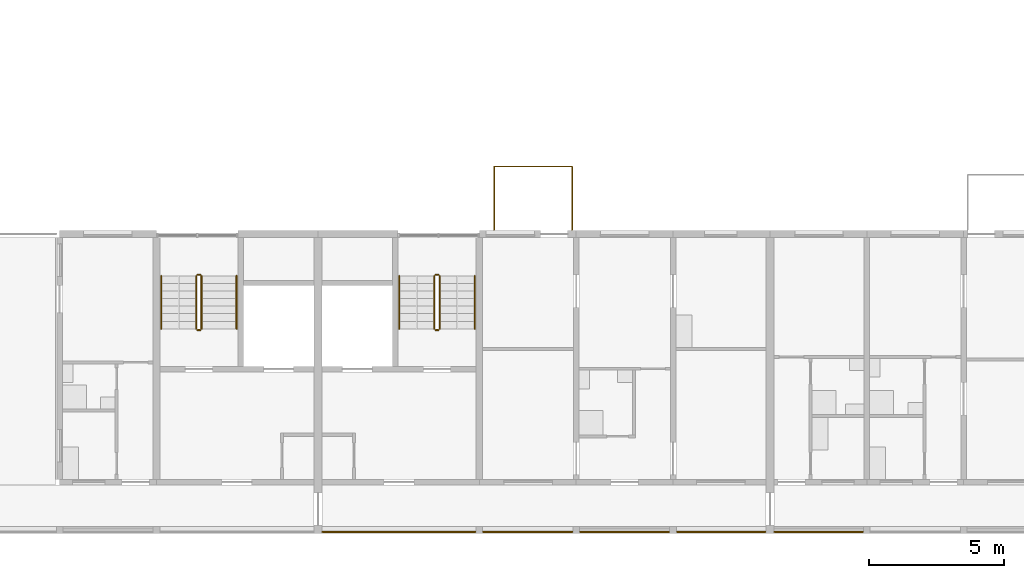
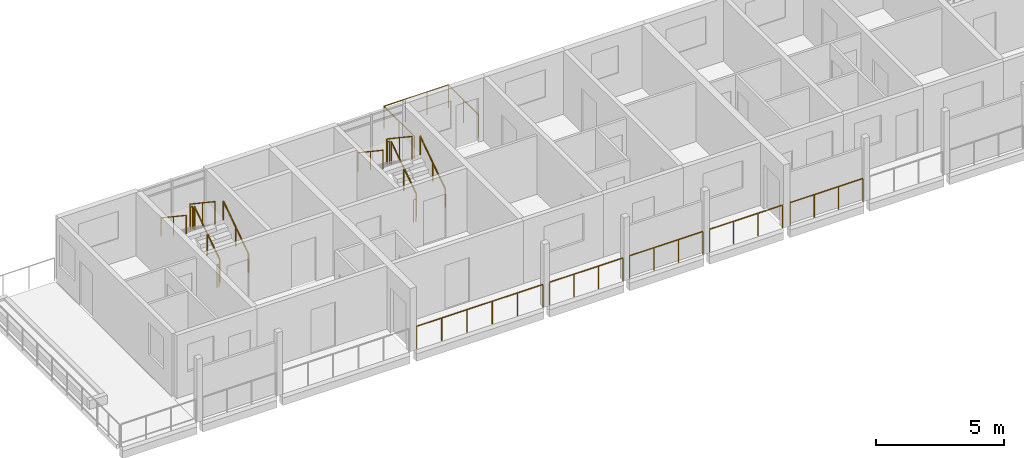
# One storey, part 69 of 78: 18 railings.
"""IFC4 building model written with IfcOpenShell, lengths in metres."""

from ifc_helpers import new_model, si_unit, direction, frame, origin, origin_2d, place, context, subcontext, project, spatial, circle, extrude, material, type_object, element, save


model = new_model("IFC4")

# Units and contexts
model_context = context("Model", 3, precision=1e-05, world=origin(), true_north=direction((0.0, 1.0)))
body_context = subcontext(model_context, "Body", "Model", "MODEL_VIEW")
ifc_project = project(units=[si_unit("LENGTHUNIT", "METRE"), si_unit("AREAUNIT", "SQUARE_METRE"), si_unit("VOLUMEUNIT", "CUBIC_METRE"), si_unit("PLANEANGLEUNIT", "RADIAN"), si_unit("MASSUNIT", "GRAM", prefix="KILO")], contexts=[model_context])

# Site, building, storey
site_placement = place(None, origin())
site = spatial("IfcSite", under=ifc_project, at=site_placement, CompositionType="ELEMENT")
building_placement = place(site_placement, origin())
building = spatial("IfcBuilding", under=site, at=building_placement, Name="Ridgestep Commons", CompositionType="ELEMENT")
storey_placement = place(building_placement, frame((0.0, 0.0, 30.0)))
storey = spatial("IfcBuildingStorey", under=building, at=storey_placement, Name="L10", CompositionType="ELEMENT", Elevation=30.0)

# Railings
ifc_material_1 = material(Name="Structural steel S355JR", Category="steel")
railing_type_1 = type_object("IfcRailingType", Name="Guard 1100", PredefinedType="GUARDRAIL", material=ifc_material_1)
railing_1_placement = place(storey_placement, frame((163.77099609375, 11.800048828125, 0.0)))
element("IfcRailing", 1, at=railing_1_placement, inside=storey, type_object=railing_type_1, Name="Gallery guard D 10.4", PredefinedType="GUARDRAIL", context=body_context, shape_type="SweptSolid", body=[
    extrude(circle(Radius=0.02392578125, at=origin_2d()), frame((0.0, 0.0, 1.076171875), z_axis=(1.0, 0.0, 0.0), x_axis=(0.0, 1.0, 0.0)), (0.0, 0.0, 1.0), 5.68310546875),
    extrude(circle(Radius=0.02099609375, at=origin_2d()), origin(), (0.0, 0.0, 1.0), 1.052001953125),
    extrude(circle(Radius=0.02099609375, at=origin_2d()), frame((1.13671875, 0.0, 0.0)), (0.0, 0.0, 1.0), 1.052001953125),
    extrude(circle(Radius=0.02099609375, at=origin_2d()), frame((2.273193359375, 0.0, 0.0)), (0.0, 0.0, 1.0), 1.052001953125),
    extrude(circle(Radius=0.02099609375, at=origin_2d()), frame((3.409912109375, 0.0, 0.0)), (0.0, 0.0, 1.0), 1.052001953125),
    extrude(circle(Radius=0.02099609375, at=origin_2d()), frame((4.54638671875, 0.0, 0.0)), (0.0, 0.0, 1.0), 1.052001953125),
    extrude(circle(Radius=0.02099609375, at=origin_2d()), frame((5.68310546875, 0.0, 0.0)), (0.0, 0.0, 1.0), 1.052001953125),
])
railing_2_placement = place(storey_placement, frame((169.74609375, 11.800048828125, 0.0)))
element("IfcRailing", 2, at=railing_2_placement, inside=storey, type_object=railing_type_1, Name="Gallery guard D 10.5", PredefinedType="GUARDRAIL", context=body_context, shape_type="SweptSolid", body=[
    extrude(circle(Radius=0.02392578125, at=origin_2d()), frame((0.0, 0.0, 1.076171875), z_axis=(1.0, 0.0, 0.0), x_axis=(0.0, 1.0, 0.0)), (0.0, 0.0, 1.0), 3.307861328125),
    extrude(circle(Radius=0.02099609375, at=origin_2d()), origin(), (0.0, 0.0, 1.0), 1.052001953125),
    extrude(circle(Radius=0.02099609375, at=origin_2d()), frame((1.1025390625, 0.0, 0.0)), (0.0, 0.0, 1.0), 1.052001953125),
    extrude(circle(Radius=0.02099609375, at=origin_2d()), frame((2.205322265625, 0.0, 0.0)), (0.0, 0.0, 1.0), 1.052001953125),
    extrude(circle(Radius=0.02099609375, at=origin_2d()), frame((3.307861328125, 0.0, 0.0)), (0.0, 0.0, 1.0), 1.052001953125),
])
railing_3_placement = place(storey_placement, frame((173.345947265625, 11.800048828125, 0.0)))
element("IfcRailing", 3, at=railing_3_placement, inside=storey, type_object=railing_type_1, Name="Gallery guard D 10.6", PredefinedType="GUARDRAIL", context=body_context, shape_type="SweptSolid", body=[
    extrude(circle(Radius=0.02392578125, at=origin_2d()), frame((0.0, 0.0, 1.076171875), z_axis=(1.0, 0.0, 0.0), x_axis=(0.0, 1.0, 0.0)), (0.0, 0.0, 1.0), 3.30810546875),
    extrude(circle(Radius=0.02099609375, at=origin_2d()), origin(), (0.0, 0.0, 1.0), 1.052001953125),
    extrude(circle(Radius=0.02099609375, at=origin_2d()), frame((1.102783203125, 0.0, 0.0)), (0.0, 0.0, 1.0), 1.052001953125),
    extrude(circle(Radius=0.02099609375, at=origin_2d()), frame((2.205322265625, 0.0, 0.0)), (0.0, 0.0, 1.0), 1.052001953125),
    extrude(circle(Radius=0.02099609375, at=origin_2d()), frame((3.30810546875, 0.0, 0.0)), (0.0, 0.0, 1.0), 1.052001953125),
])
for number, where, name in (
    (4, (176.946044921875, 11.800048828125, 0.0), "Gallery guard D 10.7"),
    (5, (180.571044921875, 11.800048828125, 0.0), "Gallery guard D 10.8"),
):
    element("IfcRailing", number, at=place(storey_placement, frame(where)), inside=storey, type_object=railing_type_1, Name=name, PredefinedType="GUARDRAIL", context=body_context, shape_type="SweptSolid", body=[
        extrude(circle(Radius=0.02392578125, at=origin_2d()), frame((0.0, 0.0, 1.076171875), z_axis=(1.0, 0.0, 0.0), x_axis=(0.0, 1.0, 0.0)), (0.0, 0.0, 1.0), 3.282958984375),
        extrude(circle(Radius=0.02099609375, at=origin_2d()), origin(), (0.0, 0.0, 1.0), 1.052001953125),
        extrude(circle(Radius=0.02099609375, at=origin_2d()), frame((1.09423828125, 0.0, 0.0)), (0.0, 0.0, 1.0), 1.052001953125),
        extrude(circle(Radius=0.02099609375, at=origin_2d()), frame((2.188720703125, 0.0, 0.0)), (0.0, 0.0, 1.0), 1.052001953125),
        extrude(circle(Radius=0.02099609375, at=origin_2d()), frame((3.282958984375, 0.0, 0.0)), (0.0, 0.0, 1.0), 1.052001953125),
    ])
ifc_material_2 = material(Name="Structural steel S355JR", Category="steel")
railing_type_2 = type_object("IfcRailingType", Name="Stair guard 1100", PredefinedType="GUARDRAIL", material=ifc_material_2)
railing_4_placement = place(storey_placement, frame((159.27490234375, 19.35009765625, 0.1875)))
element("IfcRailing", 6, at=railing_4_placement, inside=storey, type_object=railing_type_2, Name="L10 D1C stair guard 1", PredefinedType="GUARDRAIL", context=body_context, shape_type="SweptSolid", body=[
    extrude(circle(Radius=0.02392578125, at=origin_2d()), frame((0.0, 0.0, 1.076171875), z_axis=(0.0, 0.830902050051, 0.556418712142), x_axis=(-1.0, 0.0, 0.0)), (0.0, 0.0, 1.0), 2.35888671875),
    extrude(circle(Radius=0.02099609375, at=origin_2d()), origin(), (0.0, 0.0, 1.0), 1.052001953125),
    extrude(circle(Radius=0.02099609375, at=origin_2d()), frame((0.0, 0.97998046875, 0.65625)), (0.0, 0.0, 1.0), 1.052001953125),
    extrude(circle(Radius=0.02099609375, at=origin_2d()), frame((0.0, 1.9599609375, 1.3125)), (0.0, 0.0, 1.0), 1.052001953125),
])
railing_5_placement = place(storey_placement, frame((159.22509765625, 21.360107421875, 1.5)))
element("IfcRailing", 7, at=railing_5_placement, inside=storey, type_object=railing_type_2, Name="L10 D1C stair guard 2", PredefinedType="GUARDRAIL", context=body_context, shape_type="SweptSolid", body=[
    extrude(circle(Radius=0.02392578125, at=origin_2d()), frame((0.0, 0.0, 1.076171875), z_axis=(-1.0, 0.0, 0.0), x_axis=(0.0, -1.0, 0.0)), (0.0, 0.0, 1.0), 0.10009765625),
    extrude(circle(Radius=0.02099609375, at=origin_2d()), origin(), (0.0, 0.0, 1.0), 1.052001953125),
    extrude(circle(Radius=0.02099609375, at=origin_2d()), frame((-0.10009765625, 0.0, 0.0)), (0.0, 0.0, 1.0), 1.052001953125),
])
railing_6_placement = place(storey_placement, frame((159.074951171875, 21.31005859375, 1.6875)))
element("IfcRailing", 8, at=railing_6_placement, inside=storey, type_object=railing_type_2, Name="L10 D1C stair guard 3", PredefinedType="GUARDRAIL", context=body_context, shape_type="SweptSolid", body=[
    extrude(circle(Radius=0.02392578125, at=origin_2d()), frame((0.0, 0.0, 1.076171875), z_axis=(0.0, -0.830902050051, 0.556418712142), x_axis=(1.0, 0.0, 0.0)), (0.0, 0.0, 1.0), 2.35888671875),
    extrude(circle(Radius=0.02099609375, at=origin_2d()), origin(), (0.0, 0.0, 1.0), 1.052001953125),
    extrude(circle(Radius=0.02099609375, at=origin_2d()), frame((0.0, -0.97998046875, 0.65625)), (0.0, 0.0, 1.0), 1.052001953125),
    extrude(circle(Radius=0.02099609375, at=origin_2d()), frame((0.0, -1.9599609375, 1.3125)), (0.0, 0.0, 1.0), 1.052001953125),
])
railing_7_placement = place(storey_placement, frame((159.22509765625, 19.300048828125, 0.0)))
element("IfcRailing", 9, at=railing_7_placement, inside=storey, type_object=railing_type_2, Name="L10 D1C stair guard 4", PredefinedType="GUARDRAIL", context=body_context, shape_type="SweptSolid", body=[
    extrude(circle(Radius=0.02392578125, at=origin_2d()), frame((0.0, 0.0, 1.076171875), z_axis=(-1.0, 0.0, 0.0), x_axis=(0.0, -1.0, 0.0)), (0.0, 0.0, 1.0), 0.10009765625),
    extrude(circle(Radius=0.02099609375, at=origin_2d()), origin(), (0.0, 0.0, 1.0), 1.052001953125),
    extrude(circle(Radius=0.02099609375, at=origin_2d()), frame((-0.10009765625, 0.0, 0.0)), (0.0, 0.0, 1.0), 1.052001953125),
])
railing_8_placement = place(storey_placement, frame((168.125, 19.35009765625, 0.1875)))
element("IfcRailing", 10, at=railing_8_placement, inside=storey, type_object=railing_type_2, Name="L10 D2C stair guard 1", PredefinedType="GUARDRAIL", context=body_context, shape_type="SweptSolid", body=[
    extrude(circle(Radius=0.02392578125, at=origin_2d()), frame((0.0, 0.0, 1.076171875), z_axis=(0.0, 0.830902050051, 0.556418712142), x_axis=(-1.0, 0.0, 0.0)), (0.0, 0.0, 1.0), 2.35888671875),
    extrude(circle(Radius=0.02099609375, at=origin_2d()), origin(), (0.0, 0.0, 1.0), 1.052001953125),
    extrude(circle(Radius=0.02099609375, at=origin_2d()), frame((0.0, 0.97998046875, 0.65625)), (0.0, 0.0, 1.0), 1.052001953125),
    extrude(circle(Radius=0.02099609375, at=origin_2d()), frame((0.0, 1.9599609375, 1.3125)), (0.0, 0.0, 1.0), 1.052001953125),
])
railing_9_placement = place(storey_placement, frame((168.074951171875, 21.360107421875, 1.5)))
element("IfcRailing", 11, at=railing_9_placement, inside=storey, type_object=railing_type_2, Name="L10 D2C stair guard 2", PredefinedType="GUARDRAIL", context=body_context, shape_type="SweptSolid", body=[
    extrude(circle(Radius=0.02392578125, at=origin_2d()), frame((0.0, 0.0, 1.076171875), z_axis=(-1.0, 0.0, 0.0), x_axis=(0.0, -1.0, 0.0)), (0.0, 0.0, 1.0), 0.099853515625),
    extrude(circle(Radius=0.02099609375, at=origin_2d()), origin(), (0.0, 0.0, 1.0), 1.052001953125),
    extrude(circle(Radius=0.02099609375, at=origin_2d()), frame((-0.099853515625, 0.0, 0.0)), (0.0, 0.0, 1.0), 1.052001953125),
])
railing_10_placement = place(storey_placement, frame((167.925048828125, 21.31005859375, 1.6875)))
element("IfcRailing", 12, at=railing_10_placement, inside=storey, type_object=railing_type_2, Name="L10 D2C stair guard 3", PredefinedType="GUARDRAIL", context=body_context, shape_type="SweptSolid", body=[
    extrude(circle(Radius=0.02392578125, at=origin_2d()), frame((0.0, 0.0, 1.076171875), z_axis=(0.0, -0.830902050051, 0.556418712142), x_axis=(1.0, 0.0, 0.0)), (0.0, 0.0, 1.0), 2.35888671875),
    extrude(circle(Radius=0.02099609375, at=origin_2d()), origin(), (0.0, 0.0, 1.0), 1.052001953125),
    extrude(circle(Radius=0.02099609375, at=origin_2d()), frame((0.0, -0.97998046875, 0.65625)), (0.0, 0.0, 1.0), 1.052001953125),
    extrude(circle(Radius=0.02099609375, at=origin_2d()), frame((0.0, -1.9599609375, 1.3125)), (0.0, 0.0, 1.0), 1.052001953125),
])
railing_11_placement = place(storey_placement, frame((168.074951171875, 19.300048828125, 0.0)))
element("IfcRailing", 13, at=railing_11_placement, inside=storey, type_object=railing_type_2, Name="L10 D2C stair guard 4", PredefinedType="GUARDRAIL", context=body_context, shape_type="SweptSolid", body=[
    extrude(circle(Radius=0.02392578125, at=origin_2d()), frame((0.0, 0.0, 1.076171875), z_axis=(-1.0, 0.0, 0.0), x_axis=(0.0, -1.0, 0.0)), (0.0, 0.0, 1.0), 0.099853515625),
    extrude(circle(Radius=0.02099609375, at=origin_2d()), origin(), (0.0, 0.0, 1.0), 1.052001953125),
    extrude(circle(Radius=0.02099609375, at=origin_2d()), frame((-0.099853515625, 0.0, 0.0)), (0.0, 0.0, 1.0), 1.052001953125),
])
ifc_material_3 = material(Name="Structural steel S355JR", Category="steel")
railing_type_3 = type_object("IfcRailingType", Name="Stair handrail 900", PredefinedType="HANDRAIL", material=ifc_material_3)
railing_12_placement = place(storey_placement, frame((160.574951171875, 19.35009765625, 0.1875)))
element("IfcRailing", 14, at=railing_12_placement, inside=storey, type_object=railing_type_3, Name="L10 D1C stair handrail 1", PredefinedType="HANDRAIL", context=body_context, shape_type="SweptSolid", body=[
    extrude(circle(Radius=0.02392578125, at=origin_2d()), frame((0.0, 0.0, 0.8759765625), z_axis=(0.0, 0.830902050051, 0.556418712142), x_axis=(-1.0, 0.0, 0.0)), (0.0, 0.0, 1.0), 2.35888671875),
    extrude(circle(Radius=0.02099609375, at=origin_2d()), origin(), (0.0, 0.0, 1.0), 0.851806640625),
    extrude(circle(Radius=0.02099609375, at=origin_2d()), frame((0.0, 0.97998046875, 0.65625)), (0.0, 0.0, 1.0), 0.851806640625),
    extrude(circle(Radius=0.02099609375, at=origin_2d()), frame((0.0, 1.9599609375, 1.3125)), (0.0, 0.0, 1.0), 0.851806640625),
])
railing_13_placement = place(storey_placement, frame((157.77490234375, 21.31005859375, 1.6875)))
element("IfcRailing", 15, at=railing_13_placement, inside=storey, type_object=railing_type_3, Name="L10 D1C stair handrail 2", PredefinedType="HANDRAIL", context=body_context, shape_type="SweptSolid", body=[
    extrude(circle(Radius=0.02392578125, at=origin_2d()), frame((0.0, 0.0, 0.8759765625), z_axis=(0.0, -0.830902050051, 0.556418712142), x_axis=(1.0, 0.0, 0.0)), (0.0, 0.0, 1.0), 2.35888671875),
    extrude(circle(Radius=0.02099609375, at=origin_2d()), origin(), (0.0, 0.0, 1.0), 0.851806640625),
    extrude(circle(Radius=0.02099609375, at=origin_2d()), frame((0.0, -0.97998046875, 0.65625)), (0.0, 0.0, 1.0), 0.851806640625),
    extrude(circle(Radius=0.02099609375, at=origin_2d()), frame((0.0, -1.9599609375, 1.3125)), (0.0, 0.0, 1.0), 0.851806640625),
])
railing_14_placement = place(storey_placement, frame((169.425048828125, 19.35009765625, 0.1875)))
element("IfcRailing", 16, at=railing_14_placement, inside=storey, type_object=railing_type_3, Name="L10 D2C stair handrail 1", PredefinedType="HANDRAIL", context=body_context, shape_type="SweptSolid", body=[
    extrude(circle(Radius=0.02392578125, at=origin_2d()), frame((0.0, 0.0, 0.8759765625), z_axis=(0.0, 0.830902050051, 0.556418712142), x_axis=(-1.0, 0.0, 0.0)), (0.0, 0.0, 1.0), 2.35888671875),
    extrude(circle(Radius=0.02099609375, at=origin_2d()), origin(), (0.0, 0.0, 1.0), 0.851806640625),
    extrude(circle(Radius=0.02099609375, at=origin_2d()), frame((0.0, 0.97998046875, 0.65625)), (0.0, 0.0, 1.0), 0.851806640625),
    extrude(circle(Radius=0.02099609375, at=origin_2d()), frame((0.0, 1.9599609375, 1.3125)), (0.0, 0.0, 1.0), 0.851806640625),
])
railing_15_placement = place(storey_placement, frame((166.625, 21.31005859375, 1.6875)))
element("IfcRailing", 17, at=railing_15_placement, inside=storey, type_object=railing_type_3, Name="L10 D2C stair handrail 2", PredefinedType="HANDRAIL", context=body_context, shape_type="SweptSolid", body=[
    extrude(circle(Radius=0.02392578125, at=origin_2d()), frame((0.0, 0.0, 0.8759765625), z_axis=(0.0, -0.830902050051, 0.556418712142), x_axis=(1.0, 0.0, 0.0)), (0.0, 0.0, 1.0), 2.35888671875),
    extrude(circle(Radius=0.02099609375, at=origin_2d()), origin(), (0.0, 0.0, 1.0), 0.851806640625),
    extrude(circle(Radius=0.02099609375, at=origin_2d()), frame((0.0, -0.97998046875, 0.65625)), (0.0, 0.0, 1.0), 0.851806640625),
    extrude(circle(Radius=0.02099609375, at=origin_2d()), frame((0.0, -1.9599609375, 1.3125)), (0.0, 0.0, 1.0), 0.851806640625),
])
ifc_material_4 = material(Name="Weathering steel S355J2W", Category="steel")
railing_type_4 = type_object("IfcRailingType", Name="Tray guard 1100", PredefinedType="GUARDRAIL", material=ifc_material_4)
railing_16_placement = place(storey_placement, frame((170.15087890625, 23.02099609375, 0.0)))
element("IfcRailing", 18, at=railing_16_placement, inside=storey, type_object=railing_type_4, Name="Tray guard D2T3-10", PredefinedType="GUARDRAIL", context=body_context, shape_type="SweptSolid", body=[
    extrude(circle(Radius=0.02392578125, at=origin_2d()), frame((0.0, 0.0, 1.076171875), z_axis=(0.0, 1.0, 0.0), x_axis=(-1.0, 0.0, 0.0)), (0.0, 0.0, 1.0), 2.35791015625),
    extrude(circle(Radius=0.02392578125, at=origin_2d()), frame((0.0, 2.35791015625, 1.076171875), z_axis=(1.0, 0.0, 0.0), x_axis=(0.0, 1.0, 0.0)), (0.0, 0.0, 1.0), 2.898193359375),
    extrude(circle(Radius=0.02392578125, at=origin_2d()), frame((2.898193359375, 2.35791015625, 1.076171875), z_axis=(0.0, -1.0, 0.0), x_axis=(1.0, 0.0, 0.0)), (0.0, 0.0, 1.0), 2.35791015625),
    extrude(circle(Radius=0.02099609375, at=origin_2d()), origin(), (0.0, 0.0, 1.0), 1.052001953125),
    extrude(circle(Radius=0.02099609375, at=origin_2d()), frame((0.0, 1.178955078125, 0.0)), (0.0, 0.0, 1.0), 1.052001953125),
    extrude(circle(Radius=0.02099609375, at=origin_2d()), frame((0.0, 2.35791015625, 0.0)), (0.0, 0.0, 1.0), 1.052001953125),
    extrude(circle(Radius=0.02099609375, at=origin_2d()), frame((0.966064453125, 2.35791015625, 0.0)), (0.0, 0.0, 1.0), 1.052001953125),
    extrude(circle(Radius=0.02099609375, at=origin_2d()), frame((1.93212890625, 2.35791015625, 0.0)), (0.0, 0.0, 1.0), 1.052001953125),
    extrude(circle(Radius=0.02099609375, at=origin_2d()), frame((2.898193359375, 2.35791015625, 0.0)), (0.0, 0.0, 1.0), 1.052001953125),
    extrude(circle(Radius=0.02099609375, at=origin_2d()), frame((2.898193359375, 1.178955078125, 0.0)), (0.0, 0.0, 1.0), 1.052001953125),
    extrude(circle(Radius=0.02099609375, at=origin_2d()), frame((2.898193359375, 0.0, 0.0)), (0.0, 0.0, 1.0), 1.052001953125),
])

save(model, "model.ifc")
